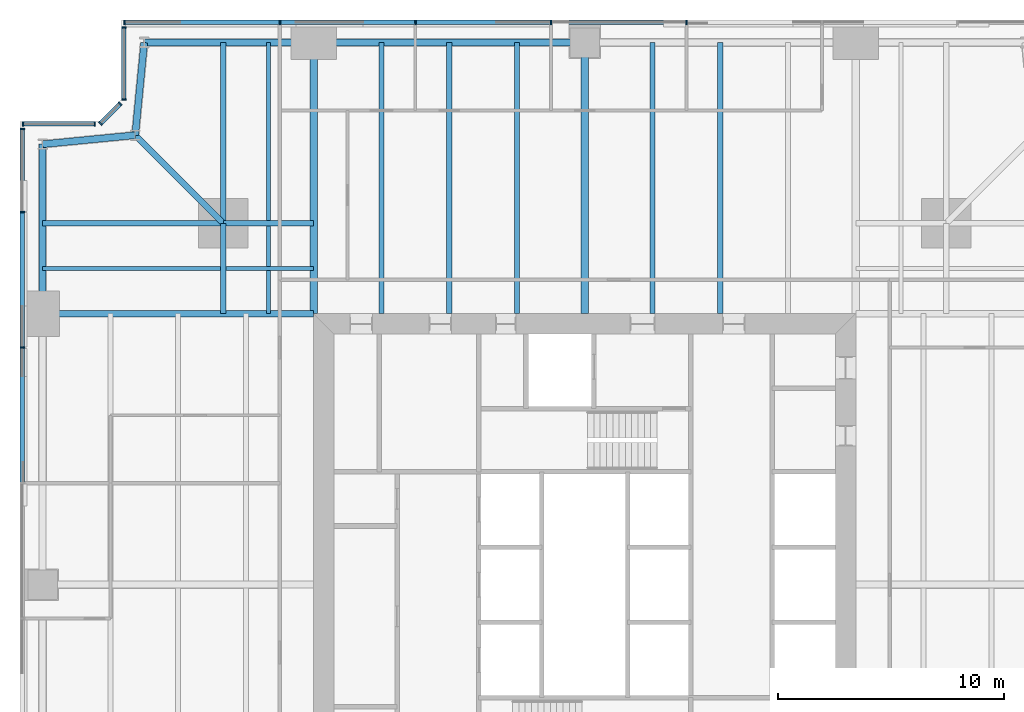
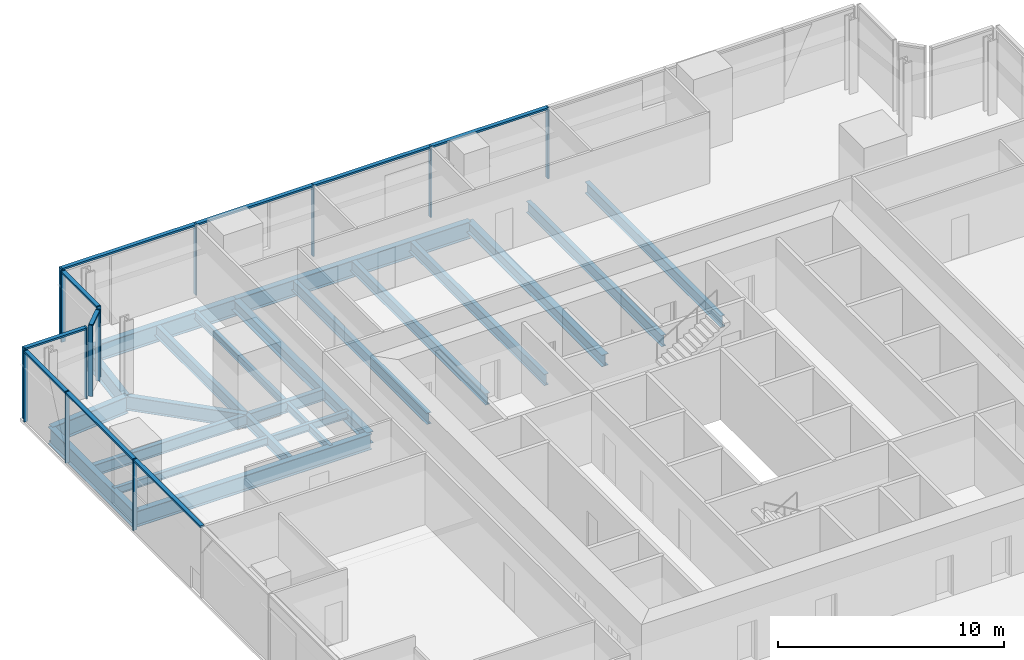
# One storey, part 6 of 14: 24 members, 23 beams, 5 elements without a shape of their own.
"""IFC4 building model written with IfcOpenShell, lengths in metres."""

from ifc_helpers import new_model, si_unit, direction, frame, origin, origin_2d, place, context, subcontext, project, spatial, rectangle, i_section, extrude, material, material_profile, profile_set, type_object, element, aggregate, save


model = new_model("IFC4")

# Units and contexts
model_context = context("Model", 3, precision=1e-05, world=origin(), true_north=direction((0.0, 1.0)))
body_context = subcontext(model_context, "Body", "Model", "MODEL_VIEW")
ifc_project = project(units=[si_unit("LENGTHUNIT", "METRE"), si_unit("AREAUNIT", "SQUARE_METRE"), si_unit("VOLUMEUNIT", "CUBIC_METRE"), si_unit("PLANEANGLEUNIT", "RADIAN"), si_unit("MASSUNIT", "GRAM", prefix="KILO")], contexts=[model_context])

# Site, building, storey
site_placement = place(None, origin())
site = spatial("IfcSite", under=ifc_project, at=site_placement, CompositionType="ELEMENT")
building_placement = place(site_placement, origin())
building = spatial("IfcBuilding", under=site, at=building_placement, Name="Fenwick Lantern Interchange", CompositionType="ELEMENT")
storey_placement = place(building_placement, frame((0.0, 0.0, 134.39990234375)))
storey = spatial("IfcBuildingStorey", under=building, at=storey_placement, Name="L31", CompositionType="ELEMENT", Elevation=134.39990234375)

# Beams
ifc_material_1 = material(Name="Steel ASTM A992 Grade 50", Category="steel")
ifc_material_profile_1 = material_profile(ifc_material_1, i_section(OverallWidth=0.3046875, OverallDepth=0.911865234375, WebThickness=0.015869140625, FlangeThickness=0.02392578125, at=origin_2d()), Name="W36X150")
ifc_profile_set_1 = profile_set([ifc_material_profile_1], Name="Steel ASTM A992 Grade 50")
beam_type_1 = type_object("IfcBeamType", Name="EDGE BEAM W36X150", PredefinedType="SPANDREL", material=ifc_profile_set_1)
beam_1_placement = place(storey_placement, frame((25.0, 49.0, -0.605712890625), z_axis=(-1.0, 0.0, 0.0), x_axis=(0.0, -1.0, 0.0)))
element("IfcBeam", 1, at=beam_1_placement, inside=storey, type_object=beam_type_1, Name="L31/FR/N/EB3", PredefinedType="SPANDREL", context=body_context, shape_type="SweptSolid", body=[
    extrude(i_section(OverallWidth=0.3046875, OverallDepth=0.911865234375, WebThickness=0.015869140625, FlangeThickness=0.02392578125, at=origin_2d()), origin(), (0.0, 0.0, 1.0), 12.0),
])
beam_2_placement = place(storey_placement, frame((13.0, 49.0, -0.605712890625), z_axis=(-1.0, 0.0, 0.0), x_axis=(0.0, -1.0, 0.0)))
element("IfcBeam", 2, at=beam_2_placement, inside=storey, type_object=beam_type_1, Name="L31/FR/N/EB4", PredefinedType="SPANDREL", context=body_context, shape_type="SweptSolid", body=[
    extrude(i_section(OverallWidth=0.3046875, OverallDepth=0.911865234375, WebThickness=0.015869140625, FlangeThickness=0.02392578125, at=origin_2d()), origin(), (0.0, 0.0, 1.0), 7.5),
])
for number, where, z_axis, x_axis, name in (
    (3, (5.5, 49.0, -0.605712890625), (-0.097074191287, -0.995277148028, 0.0), (0.995277148028, -0.097074191287, 0.0), "L31/FR/N/EBR1"),
    (4, (5.10009765625, 44.89990234375, -0.605712890625), (-0.995277148028, -0.097074191287, 0.0), (0.097074191287, -0.995277148028, 0.0), "L31/FR/N/EBR2"),
):
    element("IfcBeam", number, at=place(storey_placement, frame(where, z_axis=z_axis, x_axis=x_axis)), inside=storey, type_object=beam_type_1, Name=name, PredefinedType="SPANDREL", context=body_context, shape_type="SweptSolid", body=[
        extrude(i_section(OverallWidth=0.3046875, OverallDepth=0.911865234375, WebThickness=0.015869140625, FlangeThickness=0.02392578125, at=origin_2d()), origin(), (0.0, 0.0, 1.0), 4.11962890625),
    ])
beam_3_placement = place(storey_placement, frame((1.0, 44.5, -0.605712890625), z_axis=(0.0, -1.0, 0.0), x_axis=(1.0, 0.0, 0.0)))
element("IfcBeam", 5, at=beam_3_placement, inside=storey, type_object=beam_type_1, Name="L31/FR/W/EB1", PredefinedType="SPANDREL", context=body_context, shape_type="SweptSolid", body=[
    extrude(i_section(OverallWidth=0.3046875, OverallDepth=0.911865234375, WebThickness=0.015869140625, FlangeThickness=0.02392578125, at=origin_2d()), origin(), (0.0, 0.0, 1.0), 7.5),
])
ifc_material_profile_2 = material_profile(ifc_material_1, i_section(OverallWidth=0.22900390625, OverallDepth=0.612060546875, WebThickness=0.011962890625, FlangeThickness=0.01953125, at=origin_2d()), Name="W24X84")
ifc_profile_set_2 = profile_set([ifc_material_profile_2], Name="Steel ASTM A992 Grade 50")
beam_type_2 = type_object("IfcBeamType", Name="FLOOR BEAM W24X84", PredefinedType="BEAM", material=ifc_profile_set_2)
for number, where, z_axis, x_axis, name in (
    (6, (31.0, 49.0, -0.4560546875), (0.0, -1.0, 0.0), (1.0, 0.0, 0.0), "L31/FR/N/R03"),
    (7, (28.0, 49.0, -0.4560546875), (0.0, -1.0, 0.0), (1.0, 0.0, 0.0), "L31/FR/N/R04"),
    (8, (22.0, 49.0, -0.4560546875), (0.0, -1.0, 0.0), (1.0, 0.0, 0.0), "L31/FR/N/R06"),
    (9, (19.0, 49.0, -0.4560546875), (0.0, -1.0, 0.0), (1.0, 0.0, 0.0), "L31/FR/N/R07"),
    (10, (16.0, 49.0, -0.4560546875), (0.0, -1.0, 0.0), (1.0, 0.0, 0.0), "L31/FR/N/R08"),
):
    element("IfcBeam", number, at=place(storey_placement, frame(where, z_axis=z_axis, x_axis=x_axis)), inside=storey, type_object=beam_type_2, Name=name, PredefinedType="BEAM", context=body_context, shape_type="SweptSolid", body=[
        extrude(i_section(OverallWidth=0.22900390625, OverallDepth=0.612060546875, WebThickness=0.011962890625, FlangeThickness=0.01953125, at=origin_2d()), origin(), (0.0, 0.0, 1.0), 12.0),
    ])
ifc_material_profile_3 = material_profile(ifc_material_1, i_section(OverallWidth=0.177734375, OverallDepth=0.406494140625, WebThickness=0.0078125, FlangeThickness=0.012939453125, at=origin_2d()), Name="W16X40")
ifc_profile_set_3 = profile_set([ifc_material_profile_3], Name="Steel ASTM A992 Grade 50")
beam_type_3 = type_object("IfcBeamType", Name="INFILL BEAM W16X40", PredefinedType="JOIST", material=ifc_profile_set_3)
beam_4_placement = place(storey_placement, frame((1.0, 39.0, -0.35302734375), z_axis=(1.0, 0.0, 0.0), x_axis=(0.0, 1.0, 0.0)))
element("IfcBeam", 11, at=beam_4_placement, inside=storey, type_object=beam_type_3, Name="L31/FR/W/J1", PredefinedType="JOIST", context=body_context, shape_type="SweptSolid", body=[
    extrude(i_section(OverallWidth=0.177734375, OverallDepth=0.406494140625, WebThickness=0.0078125, FlangeThickness=0.012939453125, at=origin_2d()), origin(), (0.0, 0.0, 1.0), 7.885498046875),
])
beam_5_placement = place(storey_placement, frame((9.114501953125, 39.0, -0.35302734375), z_axis=(1.0, 0.0, 0.0), x_axis=(0.0, 1.0, 0.0)))
element("IfcBeam", 12, at=beam_5_placement, inside=storey, type_object=beam_type_3, Name="L31/FR/W/J2", PredefinedType="JOIST", context=body_context, shape_type="SweptSolid", body=[
    extrude(i_section(OverallWidth=0.177734375, OverallDepth=0.406494140625, WebThickness=0.0078125, FlangeThickness=0.012939453125, at=origin_2d()), origin(), (0.0, 0.0, 1.0), 3.885498046875),
])
beam_6_placement = place(storey_placement, frame((11.0, 49.0, -0.35302734375), z_axis=(0.0, -1.0, 0.0), x_axis=(1.0, 0.0, 0.0)))
element("IfcBeam", 13, at=beam_6_placement, inside=storey, type_object=beam_type_3, Name="L31/FR/W/J3", PredefinedType="JOIST", context=body_context, shape_type="SweptSolid", body=[
    extrude(i_section(OverallWidth=0.177734375, OverallDepth=0.406494140625, WebThickness=0.0078125, FlangeThickness=0.012939453125, at=origin_2d()), origin(), (0.0, 0.0, 1.0), 7.885498046875),
])
beam_7_placement = place(storey_placement, frame((11.0, 40.885498046875, -0.35302734375), z_axis=(0.0, -1.0, 0.0), x_axis=(1.0, 0.0, 0.0)))
element("IfcBeam", 14, at=beam_7_placement, inside=storey, type_object=beam_type_3, Name="L31/FR/W/J4", PredefinedType="JOIST", context=body_context, shape_type="SweptSolid", body=[
    extrude(i_section(OverallWidth=0.177734375, OverallDepth=0.406494140625, WebThickness=0.0078125, FlangeThickness=0.012939453125, at=origin_2d()), origin(), (0.0, 0.0, 1.0), 1.796630859375),
])
beam_8_placement = place(storey_placement, frame((11.0, 38.9111328125, -0.35302734375), z_axis=(0.0, -1.0, 0.0), x_axis=(1.0, 0.0, 0.0)))
element("IfcBeam", 15, at=beam_8_placement, inside=storey, type_object=beam_type_3, Name="L31/FR/W/J5", PredefinedType="JOIST", context=body_context, shape_type="SweptSolid", body=[
    extrude(i_section(OverallWidth=0.177734375, OverallDepth=0.406494140625, WebThickness=0.0078125, FlangeThickness=0.012939453125, at=origin_2d()), origin(), (0.0, 0.0, 1.0), 1.9111328125),
])
ifc_material_profile_4 = material_profile(ifc_material_1, i_section(OverallWidth=0.22900390625, OverallDepth=0.612060546875, WebThickness=0.011962890625, FlangeThickness=0.01953125, at=origin_2d()), Name="W24X84")
ifc_profile_set_4 = profile_set([ifc_material_profile_4], Name="Steel ASTM A992 Grade 50")
beam_type_4 = type_object("IfcBeamType", Name="MEGA COLUMN BEAM W24X84", PredefinedType="BEAM", material=ifc_profile_set_4)
for number, where, z_axis, x_axis, name in (
    (16, (9.0, 41.0, -0.4560546875), (-1.0, 0.0, 0.0), (0.0, -1.0, 0.0), "L31/FR/W/MB1"),
    (17, (9.0, 41.0, -0.4560546875), (0.0, 1.0, 0.0), (-1.0, 0.0, 0.0), "L31/FR/W/MB2"),
):
    element("IfcBeam", number, at=place(storey_placement, frame(where, z_axis=z_axis, x_axis=x_axis)), inside=storey, type_object=beam_type_4, Name=name, PredefinedType="BEAM", context=body_context, shape_type="SweptSolid", body=[
        extrude(i_section(OverallWidth=0.22900390625, OverallDepth=0.612060546875, WebThickness=0.011962890625, FlangeThickness=0.01953125, at=origin_2d()), origin(), (0.0, 0.0, 1.0), 8.0),
    ])
for number, where, z_axis, x_axis, name in (
    (18, (9.0, 41.0, -0.4560546875), (0.0, -1.0, 0.0), (1.0, 0.0, 0.0), "L31/FR/W/MB3"),
    (19, (9.0, 41.0, -0.4560546875), (1.0, 0.0, 0.0), (0.0, 1.0, 0.0), "L31/FR/W/MB4"),
):
    element("IfcBeam", number, at=place(storey_placement, frame(where, z_axis=z_axis, x_axis=x_axis)), inside=storey, type_object=beam_type_4, Name=name, PredefinedType="BEAM", context=body_context, shape_type="SweptSolid", body=[
        extrude(i_section(OverallWidth=0.22900390625, OverallDepth=0.612060546875, WebThickness=0.011962890625, FlangeThickness=0.01953125, at=origin_2d()), origin(), (0.0, 0.0, 1.0), 4.0),
    ])
ifc_material_profile_5 = material_profile(ifc_material_1, i_section(OverallWidth=0.32763671875, OverallDepth=0.622314453125, WebThickness=0.015380859375, FlangeThickness=0.0244140625, at=origin_2d()), Name="W24X131")
ifc_profile_set_5 = profile_set([ifc_material_profile_5], Name="Steel ASTM A992 Grade 50")
beam_type_5 = type_object("IfcBeamType", Name="MOMENT-CONNECTED GIRDER W24X131", PredefinedType="BEAM", material=ifc_profile_set_5)
for number, where, z_axis, x_axis, name in (
    (20, (25.0, 49.0, -0.4609375), (0.0, -1.0, 0.0), (1.0, 0.0, 0.0), "L31/FR/N/R05"),
    (21, (13.0, 49.0, -0.4609375), (0.0, -1.0, 0.0), (1.0, 0.0, 0.0), "L31/FR/N/R09"),
):
    element("IfcBeam", number, at=place(storey_placement, frame(where, z_axis=z_axis, x_axis=x_axis)), inside=storey, type_object=beam_type_5, Name=name, PredefinedType="BEAM", context=body_context, shape_type="SweptSolid", body=[
        extrude(i_section(OverallWidth=0.32763671875, OverallDepth=0.622314453125, WebThickness=0.015380859375, FlangeThickness=0.0244140625, at=origin_2d()), origin(), (0.0, 0.0, 1.0), 12.0),
    ])
ifc_material_profile_6 = material_profile(ifc_material_1, i_section(OverallWidth=0.2919921875, OverallDepth=0.845703125, WebThickness=0.015380859375, FlangeThickness=0.0244140625, at=origin_2d()), Name="W33X141")
ifc_profile_set_6 = profile_set([ifc_material_profile_6], Name="Steel ASTM A992 Grade 50")
beam_type_6 = type_object("IfcBeamType", Name="MOMENT-CONNECTED GIRDER W33X141", PredefinedType="BEAM", material=ifc_profile_set_6)
beam_9_placement = place(storey_placement, frame((1.0, 37.0, -0.57275390625), z_axis=(1.0, 0.0, 0.0), x_axis=(0.0, 1.0, 0.0)))
element("IfcBeam", 22, at=beam_9_placement, inside=storey, type_object=beam_type_6, Name="L31/FR/W/R01", PredefinedType="BEAM", context=body_context, shape_type="SweptSolid", body=[
    extrude(i_section(OverallWidth=0.2919921875, OverallDepth=0.845703125, WebThickness=0.015380859375, FlangeThickness=0.0244140625, at=origin_2d()), origin(), (0.0, 0.0, 1.0), 12.0),
])
ifc_material_profile_7 = material_profile(ifc_material_1, i_section(OverallWidth=0.2666015625, OverallDepth=0.7568359375, WebThickness=0.013916015625, FlangeThickness=0.019287109375, at=origin_2d()), Name="W30X108")
ifc_profile_set_7 = profile_set([ifc_material_profile_7], Name="Steel ASTM A992 Grade 50")
beam_type_7 = type_object("IfcBeamType", Name="NOTCH BEAM W30X108", PredefinedType="BEAM", material=ifc_profile_set_7)
beam_10_placement = place(storey_placement, frame((9.0, 41.0, -0.5283203125), z_axis=(-0.707106781187, 0.707106781187, 0.0), x_axis=(-0.707106781187, -0.707106781187, 0.0)))
element("IfcBeam", 23, at=beam_10_placement, inside=storey, type_object=beam_type_7, Name="L31/FR/W/TG", PredefinedType="BEAM", context=body_context, shape_type="SweptSolid", body=[
    extrude(i_section(OverallWidth=0.2666015625, OverallDepth=0.7568359375, WebThickness=0.013916015625, FlangeThickness=0.019287109375, at=origin_2d()), origin(), (0.0, 0.0, 1.0), 5.515380859375),
])

# Curtain wall, members
ifc_material_2 = material(Name="Aluminium curtain wall frame", Category="aluminium")
curtain_wall_type = type_object("IfcCurtainWallType", Name="OFFICE CURTAIN WALL", PredefinedType="USERDEFINED", material=ifc_material_2)
curtain_wall_1_placement = place(storey_placement, origin())
curtain_wall_1 = element("IfcCurtainWall", 24, at=curtain_wall_1_placement, inside=storey, type_object=curtain_wall_type, Name="Office curtain wall 09", ObjectType="OFFICE CURTAIN WALL", PredefinedType="USERDEFINED")
ifc_material_3 = material(Name="Aluminium extrusion", Category="aluminium")
ifc_material_profile_8 = material_profile(ifc_material_3, rectangle(XDim=0.199951171875, YDim=0.06494140625, at=origin_2d()), Name="OFFICE CURTAIN WALL MULLION 65 X 200")
ifc_profile_set_8 = profile_set([ifc_material_profile_8], Name="Aluminium extrusion")
member_type_1 = type_object("IfcMemberType", Name="OFFICE CURTAIN WALL MULLION 65 X 200", PredefinedType="MULLION", material=ifc_profile_set_8)
member_1_placement = place(storey_placement, frame((29.5, 49.89990234375, 0.0), z_axis=(0.0, 0.0, 1.0), x_axis=(0.0, -1.0, 0.0)))
member_1 = element("IfcMember", 25, at=member_1_placement, type_object=member_type_1, Name="L31/CW/09/M03", PredefinedType="MULLION", context=body_context, shape_type="SweptSolid", body=[
    extrude(rectangle(XDim=0.199951171875, YDim=0.06494140625, at=origin_2d()), origin(), (0.0, 0.0, 1.0), 3.85009765625),
])
member_2_placement = place(storey_placement, frame((23.5, 49.89990234375, 0.0), z_axis=(0.0, 0.0, 1.0), x_axis=(0.0, -1.0, 0.0)))
member_2 = element("IfcMember", 26, at=member_2_placement, type_object=member_type_1, Name="L31/CW/09/M04", PredefinedType="MULLION", context=body_context, shape_type="SweptSolid", body=[
    extrude(rectangle(XDim=0.199951171875, YDim=0.06494140625, at=origin_2d()), origin(), (0.0, 0.0, 1.0), 3.85009765625),
])
member_3_placement = place(storey_placement, frame((17.5, 49.89990234375, 0.0), z_axis=(0.0, 0.0, 1.0), x_axis=(0.0, -1.0, 0.0)))
member_3 = element("IfcMember", 27, at=member_3_placement, type_object=member_type_1, Name="L31/CW/09/M05", PredefinedType="MULLION", context=body_context, shape_type="SweptSolid", body=[
    extrude(rectangle(XDim=0.199951171875, YDim=0.06494140625, at=origin_2d()), origin(), (0.0, 0.0, 1.0), 3.85009765625),
])
member_4_placement = place(storey_placement, frame((11.5, 49.89990234375, 0.0), z_axis=(0.0, 0.0, 1.0), x_axis=(0.0, -1.0, 0.0)))
member_4 = element("IfcMember", 28, at=member_4_placement, type_object=member_type_1, Name="L31/CW/09/M06", PredefinedType="MULLION", context=body_context, shape_type="SweptSolid", body=[
    extrude(rectangle(XDim=0.199951171875, YDim=0.06494140625, at=origin_2d()), origin(), (0.0, 0.0, 1.0), 3.85009765625),
])
member_5_placement = place(storey_placement, frame((4.632568359375, 49.89990234375, 0.0), z_axis=(0.0, 0.0, 1.0), x_axis=(0.0, -1.0, 0.0)))
member_5 = element("IfcMember", 29, at=member_5_placement, type_object=member_type_1, Name="L31/CW/09/M07", PredefinedType="MULLION", context=body_context, shape_type="SweptSolid", body=[
    extrude(rectangle(XDim=0.199951171875, YDim=0.06494140625, at=origin_2d()), origin(), (0.0, 0.0, 1.0), 3.85009765625),
])

curtain_wall_2_placement = place(storey_placement, origin())
curtain_wall_2 = element("IfcCurtainWall", 30, at=curtain_wall_2_placement, inside=storey, type_object=curtain_wall_type, Name="Office curtain wall 10", ObjectType="OFFICE CURTAIN WALL", PredefinedType="USERDEFINED")
member_6_placement = place(storey_placement, frame((4.60009765625, 49.66748046875, 0.0), z_axis=(0.0, 0.0, 1.0), x_axis=(1.0, 0.0, 0.0)))
member_6 = element("IfcMember", 31, at=member_6_placement, type_object=member_type_1, Name="L31/CW/10/M00", PredefinedType="MULLION", context=body_context, shape_type="SweptSolid", body=[
    extrude(rectangle(XDim=0.199951171875, YDim=0.06494140625, at=origin_2d()), origin(), (0.0, 0.0, 1.0), 3.85009765625),
])
member_7_placement = place(storey_placement, frame((4.60009765625, 46.490966796875, 0.0), z_axis=(0.0, 0.0, 1.0), x_axis=(1.0, 0.0, 0.0)))
member_7 = element("IfcMember", 32, at=member_7_placement, type_object=member_type_1, Name="L31/CW/10/M01", PredefinedType="MULLION", context=body_context, shape_type="SweptSolid", body=[
    extrude(rectangle(XDim=0.199951171875, YDim=0.06494140625, at=origin_2d()), origin(), (0.0, 0.0, 1.0), 3.85009765625),
])

curtain_wall_3_placement = place(storey_placement, origin())
curtain_wall_3 = element("IfcCurtainWall", 33, at=curtain_wall_3_placement, inside=storey, type_object=curtain_wall_type, Name="Office curtain wall 11", ObjectType="OFFICE CURTAIN WALL", PredefinedType="USERDEFINED")
member_8_placement = place(storey_placement, frame((4.435546875, 46.294189453125, 0.0), z_axis=(0.0, 0.0, 1.0), x_axis=(0.707106781187, -0.707106781187, 0.0)))
member_8 = element("IfcMember", 34, at=member_8_placement, type_object=member_type_1, Name="L31/CW/11/M00", PredefinedType="MULLION", context=body_context, shape_type="SweptSolid", body=[
    extrude(rectangle(XDim=0.199951171875, YDim=0.06494140625, at=origin_2d()), origin(), (0.0, 0.0, 1.0), 3.85009765625),
])
member_9_placement = place(storey_placement, frame((3.564453125, 45.423095703125, 0.0), z_axis=(0.0, 0.0, 1.0), x_axis=(0.707106781187, -0.707106781187, 0.0)))
member_9 = element("IfcMember", 35, at=member_9_placement, type_object=member_type_1, Name="L31/CW/11/M01", PredefinedType="MULLION", context=body_context, shape_type="SweptSolid", body=[
    extrude(rectangle(XDim=0.199951171875, YDim=0.06494140625, at=origin_2d()), origin(), (0.0, 0.0, 1.0), 3.85009765625),
])

curtain_wall_4_placement = place(storey_placement, origin())
curtain_wall_4 = element("IfcCurtainWall", 36, at=curtain_wall_4_placement, inside=storey, type_object=curtain_wall_type, Name="Office curtain wall 12", ObjectType="OFFICE CURTAIN WALL", PredefinedType="USERDEFINED")
member_10_placement = place(storey_placement, frame((3.308837890625, 45.39990234375, 0.0), z_axis=(0.0, 0.0, 1.0), x_axis=(0.0, -1.0, 0.0)))
member_10 = element("IfcMember", 37, at=member_10_placement, type_object=member_type_1, Name="L31/CW/12/M00", PredefinedType="MULLION", context=body_context, shape_type="SweptSolid", body=[
    extrude(rectangle(XDim=0.199951171875, YDim=0.06494140625, at=origin_2d()), origin(), (0.0, 0.0, 1.0), 3.85009765625),
])
member_11_placement = place(storey_placement, frame((0.132568359375, 45.39990234375, 0.0), z_axis=(0.0, 0.0, 1.0), x_axis=(0.0, -1.0, 0.0)))
member_11 = element("IfcMember", 38, at=member_11_placement, type_object=member_type_1, Name="L31/CW/12/M01", PredefinedType="MULLION", context=body_context, shape_type="SweptSolid", body=[
    extrude(rectangle(XDim=0.199951171875, YDim=0.06494140625, at=origin_2d()), origin(), (0.0, 0.0, 1.0), 3.85009765625),
])

curtain_wall_5_placement = place(storey_placement, origin())
curtain_wall_5 = element("IfcCurtainWall", 39, at=curtain_wall_5_placement, inside=storey, type_object=curtain_wall_type, Name="Office curtain wall 13", ObjectType="OFFICE CURTAIN WALL", PredefinedType="USERDEFINED")
member_12_placement = place(storey_placement, frame((0.10009765625, 45.16748046875, 0.0), z_axis=(0.0, 0.0, 1.0), x_axis=(1.0, 0.0, 0.0)))
member_12 = element("IfcMember", 40, at=member_12_placement, type_object=member_type_1, Name="L31/CW/13/M00", PredefinedType="MULLION", context=body_context, shape_type="SweptSolid", body=[
    extrude(rectangle(XDim=0.199951171875, YDim=0.06494140625, at=origin_2d()), origin(), (0.0, 0.0, 1.0), 3.85009765625),
])
member_13_placement = place(storey_placement, frame((0.10009765625, 41.5, 0.0), z_axis=(0.0, 0.0, 1.0), x_axis=(1.0, 0.0, 0.0)))
member_13 = element("IfcMember", 41, at=member_13_placement, type_object=member_type_1, Name="L31/CW/13/M01", PredefinedType="MULLION", context=body_context, shape_type="SweptSolid", body=[
    extrude(rectangle(XDim=0.199951171875, YDim=0.06494140625, at=origin_2d()), origin(), (0.0, 0.0, 1.0), 3.85009765625),
])
member_14_placement = place(storey_placement, frame((0.10009765625, 35.5, 0.0), z_axis=(0.0, 0.0, 1.0), x_axis=(1.0, 0.0, 0.0)))
member_14 = element("IfcMember", 42, at=member_14_placement, type_object=member_type_1, Name="L31/CW/13/M02", PredefinedType="MULLION", context=body_context, shape_type="SweptSolid", body=[
    extrude(rectangle(XDim=0.199951171875, YDim=0.06494140625, at=origin_2d()), origin(), (0.0, 0.0, 1.0), 3.85009765625),
])

# Member
ifc_material_profile_9 = material_profile(ifc_material_3, rectangle(XDim=0.199951171875, YDim=0.10009765625, at=origin_2d()), Name="OFFICE CURTAIN WALL TRANSOM 100 X 200")
ifc_profile_set_9 = profile_set([ifc_material_profile_9], Name="Aluminium extrusion")
member_type_2 = type_object("IfcMemberType", Name="OFFICE CURTAIN WALL TRANSOM 100 X 200", PredefinedType="MULLION", material=ifc_profile_set_9)
member_15_placement = place(storey_placement, frame((29.467529296875, 49.89990234375, 3.800048828125), z_axis=(-1.0, 0.0, 0.0), x_axis=(0.0, -1.0, 0.0)))
member_15 = element("IfcMember", 43, at=member_15_placement, type_object=member_type_2, Name="L31/CW/09/T03", PredefinedType="MULLION", context=body_context, shape_type="SweptSolid", body=[
    extrude(rectangle(XDim=0.199951171875, YDim=0.10009765625, at=origin_2d()), origin(), (0.0, 0.0, 1.0), 5.93505859375),
])

member_16_placement = place(storey_placement, frame((23.467529296875, 49.89990234375, 3.800048828125), z_axis=(-1.0, 0.0, 0.0), x_axis=(0.0, -1.0, 0.0)))
member_16 = element("IfcMember", 44, at=member_16_placement, type_object=member_type_2, Name="L31/CW/09/T04", PredefinedType="MULLION", context=body_context, shape_type="SweptSolid", body=[
    extrude(rectangle(XDim=0.199951171875, YDim=0.10009765625, at=origin_2d()), origin(), (0.0, 0.0, 1.0), 5.93505859375),
])

member_17_placement = place(storey_placement, frame((17.467529296875, 49.89990234375, 3.800048828125), z_axis=(-1.0, 0.0, 0.0), x_axis=(0.0, -1.0, 0.0)))
member_17 = element("IfcMember", 45, at=member_17_placement, type_object=member_type_2, Name="L31/CW/09/T05", PredefinedType="MULLION", context=body_context, shape_type="SweptSolid", body=[
    extrude(rectangle(XDim=0.199951171875, YDim=0.10009765625, at=origin_2d()), origin(), (0.0, 0.0, 1.0), 5.93505859375),
])

member_18_placement = place(storey_placement, frame((11.467529296875, 49.89990234375, 3.800048828125), z_axis=(-1.0, 0.0, 0.0), x_axis=(0.0, -1.0, 0.0)))
member_18 = element("IfcMember", 46, at=member_18_placement, type_object=member_type_2, Name="L31/CW/09/T06", PredefinedType="MULLION", context=body_context, shape_type="SweptSolid", body=[
    extrude(rectangle(XDim=0.199951171875, YDim=0.10009765625, at=origin_2d()), origin(), (0.0, 0.0, 1.0), 6.802490234375),
])

aggregate(curtain_wall_1, [member_1, member_2, member_3, member_4, member_5, member_15, member_16, member_17, member_18])

member_19_placement = place(storey_placement, frame((4.60009765625, 49.635009765625, 3.800048828125), z_axis=(0.0, -1.0, 0.0), x_axis=(1.0, 0.0, 0.0)))
member_19 = element("IfcMember", 47, at=member_19_placement, type_object=member_type_2, Name="L31/CW/10/T00", PredefinedType="MULLION", context=body_context, shape_type="SweptSolid", body=[
    extrude(rectangle(XDim=0.199951171875, YDim=0.10009765625, at=origin_2d()), origin(), (0.0, 0.0, 1.0), 3.111328125),
])

aggregate(curtain_wall_2, [member_6, member_7, member_19])

member_20_placement = place(storey_placement, frame((4.41259765625, 46.271240234375, 3.800048828125), z_axis=(-0.707106781187, -0.707106781187, 0.0), x_axis=(0.707106781187, -0.707106781187, 0.0)))
member_20 = element("IfcMember", 48, at=member_20_placement, type_object=member_type_2, Name="L31/CW/11/T00", PredefinedType="MULLION", context=body_context, shape_type="SweptSolid", body=[
    extrude(rectangle(XDim=0.199951171875, YDim=0.10009765625, at=origin_2d()), origin(), (0.0, 0.0, 1.0), 1.1669921875),
])

aggregate(curtain_wall_3, [member_8, member_9, member_20])

member_21_placement = place(storey_placement, frame((3.2763671875, 45.39990234375, 3.800048828125), z_axis=(-1.0, 0.0, 0.0), x_axis=(0.0, -1.0, 0.0)))
member_21 = element("IfcMember", 49, at=member_21_placement, type_object=member_type_2, Name="L31/CW/12/T00", PredefinedType="MULLION", context=body_context, shape_type="SweptSolid", body=[
    extrude(rectangle(XDim=0.199951171875, YDim=0.10009765625, at=origin_2d()), origin(), (0.0, 0.0, 1.0), 3.111328125),
])

aggregate(curtain_wall_4, [member_10, member_11, member_21])

member_22_placement = place(storey_placement, frame((0.10009765625, 45.135009765625, 3.800048828125), z_axis=(0.0, -1.0, 0.0), x_axis=(1.0, 0.0, 0.0)))
member_22 = element("IfcMember", 50, at=member_22_placement, type_object=member_type_2, Name="L31/CW/13/T00", PredefinedType="MULLION", context=body_context, shape_type="SweptSolid", body=[
    extrude(rectangle(XDim=0.199951171875, YDim=0.10009765625, at=origin_2d()), origin(), (0.0, 0.0, 1.0), 3.6025390625),
])

member_23_placement = place(storey_placement, frame((0.10009765625, 41.467529296875, 3.800048828125), z_axis=(0.0, -1.0, 0.0), x_axis=(1.0, 0.0, 0.0)))
member_23 = element("IfcMember", 51, at=member_23_placement, type_object=member_type_2, Name="L31/CW/13/T01", PredefinedType="MULLION", context=body_context, shape_type="SweptSolid", body=[
    extrude(rectangle(XDim=0.199951171875, YDim=0.10009765625, at=origin_2d()), origin(), (0.0, 0.0, 1.0), 5.93505859375),
])

member_24_placement = place(storey_placement, frame((0.10009765625, 35.467529296875, 3.800048828125), z_axis=(0.0, -1.0, 0.0), x_axis=(1.0, 0.0, 0.0)))
member_24 = element("IfcMember", 52, at=member_24_placement, type_object=member_type_2, Name="L31/CW/13/T02", PredefinedType="MULLION", context=body_context, shape_type="SweptSolid", body=[
    extrude(rectangle(XDim=0.199951171875, YDim=0.10009765625, at=origin_2d()), origin(), (0.0, 0.0, 1.0), 5.93505859375),
])

aggregate(curtain_wall_5, [member_12, member_13, member_14, member_22, member_23, member_24])

save(model, "model.ifc")
